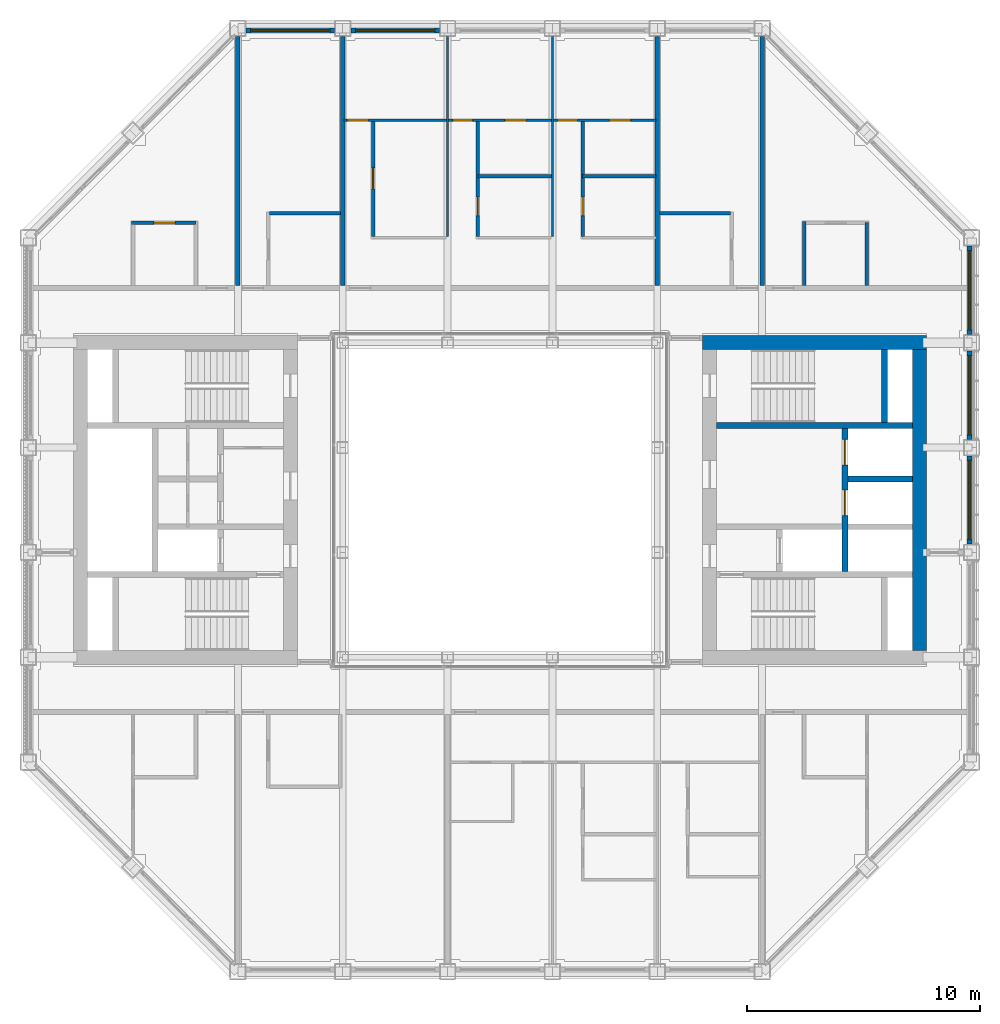
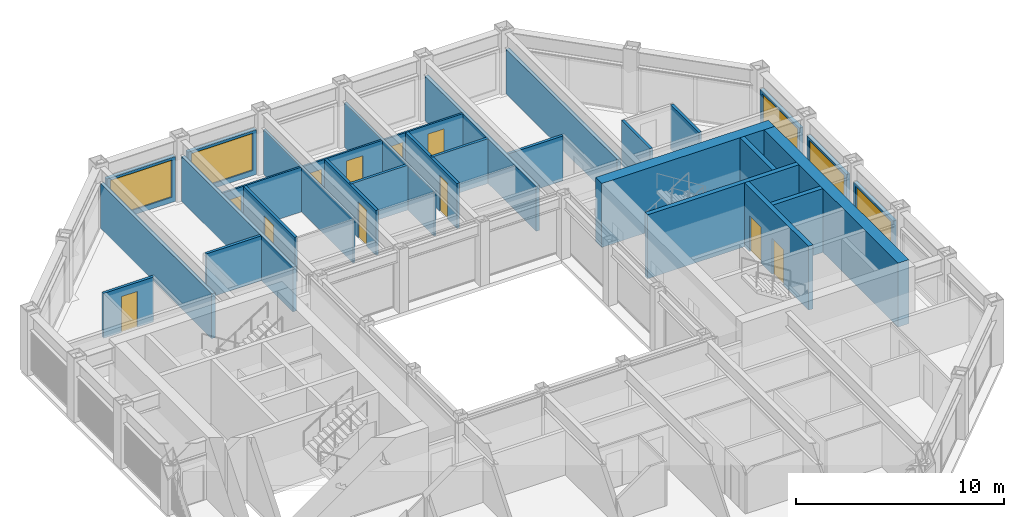
# One storey, part 12 of 17: 30 walls, 11 doors, 5 windows, 16 openings.
"""IFC4 building model written with IfcOpenShell, lengths in metres."""

import ifcopenshell
import ifcopenshell.guid

model = None  # the IFC model being written
_history = None  # IfcOwnerHistory: only IFC2X3 demands one
_inside = {}  # id of a spatial element -> (the spatial element, [elements in it])
_under = {}  # id of a project, library or spatial element -> (it, [spatial elements below it])
_declared = {}  # id of a project -> (the project, [libraries it declares])
_typed = {}  # id of a type object -> (the type object, [elements of that type])
_made_of = {}  # id of a material, layer set ... -> (it, [elements and type objects made of it])


def new_model(schema):
    """Start an empty IFC model of exactly this schema.

    Asked for "IFC4X3", IfcOpenShell would pick the latest addendum, in which some entities
    have other attributes; the version numbers below select the first issue.
    IFC2X3 requires an IfcOwnerHistory on every rooted entity: one is made here for all.
    """
    global model, _history
    if schema == "IFC4X3":
        model = ifcopenshell.file(schema_version=(4, 3, 0, 0))
    else:
        model = ifcopenshell.file(schema=schema)
    _inside.clear()
    _under.clear()
    _declared.clear()
    _typed.clear()
    _made_of.clear()
    _history = None
    if model.schema == "IFC2X3":
        org = make("IfcOrganization", Name="unknown")
        user = make(
            "IfcPersonAndOrganization",
            ThePerson=make("IfcPerson", FamilyName="unknown"),
            TheOrganization=org,
        )
        app = make(
            "IfcApplication",
            ApplicationDeveloper=org,
            Version="unknown",
            ApplicationFullName="unknown",
            ApplicationIdentifier="unknown",
        )
        _history = make(
            "IfcOwnerHistory",
            OwningUser=user,
            OwningApplication=app,
            ChangeAction="ADDED",
            CreationDate=0,
        )
    return model


def make(cls, **values):
    """One entity of the class cls with the attributes given. An attribute that is None is left unset."""
    return model.create_entity(
        cls, **{name: value for name, value in values.items() if value is not None}
    )


def rooted(cls, **values):
    """An entity with a GlobalId (a new one), such as an element, a storey or a relation."""
    return make(cls, GlobalId=ifcopenshell.guid.new(), OwnerHistory=_history, **values)


def si_unit(unit_type, name, prefix=None):
    """IfcSIUnit, for example si_unit("LENGTHUNIT", "METRE", prefix="MILLI")."""
    return make("IfcSIUnit", UnitType=unit_type, Prefix=prefix, Name=name)


def assignment(units):
    """IfcUnitAssignment: the units of a project."""
    return None if units is None else make("IfcUnitAssignment", Units=units)


def point(xyz):
    """IfcCartesianPoint."""
    return None if xyz is None else make("IfcCartesianPoint", Coordinates=xyz)


def direction(xyz):
    """IfcDirection."""
    return None if xyz is None else make("IfcDirection", DirectionRatios=xyz)


def frame(location, z_axis=None, x_axis=None):
    """IfcAxis2Placement3D, a coordinate frame: its origin and axes. An axis left out is left unset."""
    return make(
        "IfcAxis2Placement3D",
        Location=point(location),
        Axis=direction(z_axis),
        RefDirection=direction(x_axis),
    )


def frame_2d(location, x_axis=None):
    """IfcAxis2Placement2D, a coordinate frame in the plane: its origin and x axis."""
    return make(
        "IfcAxis2Placement2D", Location=point(location), RefDirection=direction(x_axis)
    )


def origin():
    """The frame at (0, 0, 0) with its axes left unset."""
    return frame((0.0, 0.0, 0.0))


def place(relative_to, where):
    """IfcLocalPlacement: puts the frame where relative to a parent placement (None: the world)."""
    return make(
        "IfcLocalPlacement", PlacementRelTo=relative_to, RelativePlacement=where
    )


def context(
    kind, dimensions, precision=None, world=None, true_north=None, identifier=None
):
    """IfcGeometricRepresentationContext, for example the 3D "Model" context."""
    return make(
        "IfcGeometricRepresentationContext",
        ContextIdentifier=identifier,
        ContextType=kind,
        CoordinateSpaceDimension=dimensions,
        Precision=precision,
        WorldCoordinateSystem=world,
        TrueNorth=true_north,
    )


def subcontext(parent, identifier, kind, view, scale=None):
    """IfcGeometricRepresentationSubContext, for example "Body" below "Model"."""
    return make(
        "IfcGeometricRepresentationSubContext",
        ContextIdentifier=identifier,
        ContextType=kind,
        ParentContext=parent,
        TargetScale=scale,
        TargetView=view,
    )


def project(units=None, contexts=None):
    """IfcProject with its units and contexts."""
    return rooted(
        "IfcProject",
        Name="project",
        RepresentationContexts=contexts,
        UnitsInContext=assignment(units),
    )


def spatial(cls, under=None, at=None, **own):
    """A site, building, storey or space (cls), placed at a placement, below another one or the project."""
    s = rooted(cls, ObjectPlacement=at, **own)
    if under is not None:
        _under.setdefault(under.id(), (under, []))[1].append(s)
    return s


def profile(cls, at=None, kind="AREA", **sizes):
    """A parametric profile (cls). Its sizes go by their IFC names, for example OverallWidth=200.0."""
    return make(cls, ProfileType=kind, Position=at, **sizes)


def rectangle(**sizes):
    """IfcRectangleProfileDef."""
    return profile("IfcRectangleProfileDef", **sizes)


def extrude(swept, where, along, depth):
    """IfcExtrudedAreaSolid: the profile swept, set in the frame where, extruded along a direction by depth."""
    return make(
        "IfcExtrudedAreaSolid",
        SweptArea=swept,
        Position=where,
        ExtrudedDirection=direction(along),
        Depth=depth,
    )


def shape(context_of_items, identifier, shape_type, items):
    """IfcShapeRepresentation: the items that make up one representation, for example the "Body"."""
    return make(
        "IfcShapeRepresentation",
        ContextOfItems=context_of_items,
        RepresentationIdentifier=identifier,
        RepresentationType=shape_type,
        Items=items,
    )


def material(Name=None, Category=None):
    """IfcMaterial."""
    return make("IfcMaterial", Name=Name, Category=Category)


def layer(
    of_material, thickness, ventilated=None, Name=None, Category=None, Priority=None
):
    """IfcMaterialLayer: one layer of a wall or slab, of a material (None: an air gap)."""
    return make(
        "IfcMaterialLayer",
        Material=of_material,
        LayerThickness=thickness,
        IsVentilated=ventilated,
        Name=Name,
        Category=Category,
        Priority=Priority,
    )


def layer_set(layers, Name=None):
    """IfcMaterialLayerSet."""
    return make("IfcMaterialLayerSet", MaterialLayers=layers, LayerSetName=Name)


def made_of(thing, what):
    """Note that an element or type object is made of a material, layer set ...; save() writes the relation."""
    if what is not None:
        _made_of.setdefault(what.id(), (what, []))[1].append(thing)
    return thing


def type_object(cls, material=None, **own):
    """A type object (cls), such as IfcWallType, which elements share."""
    return made_of(rooted(cls, **own), material)


def element(
    cls,
    number,
    at=None,
    inside=None,
    cuts=None,
    type_object=None,
    material=None,
    context=None,
    identifier="Body",
    shape_type=None,
    held_by="IfcProductDefinitionShape",
    body=None,
    shapes=None,
    **own,
):
    """One element of the class cls, such as IfcWall. Its Tag is "e" and its number.

    at: its placement. inside: the storey or other place that contains it. cuts: it is an
    opening in that element (IfcRelVoidsElement). A single representation is given by context,
    identifier, shape_type and body (its items); several are given by shapes. held_by: the class
    of the entity that holds the representations. save() writes the other relations.
    """
    e = rooted(cls, Tag="e%d" % number, ObjectPlacement=at, **own)
    if body is not None:
        shapes = [shape(context, identifier, shape_type, body)]
    if shapes is not None:
        e.Representation = make(held_by, Representations=shapes)
    if inside is not None:
        _inside.setdefault(inside.id(), (inside, []))[1].append(e)
    if cuts is not None:
        rooted(
            "IfcRelVoidsElement", RelatingBuildingElement=cuts, RelatedOpeningElement=e
        )
    if type_object is not None:
        _typed.setdefault(type_object.id(), (type_object, []))[1].append(e)
    return made_of(e, material)


def fill(opening, filler):
    """IfcRelFillsElement: the door or window that sits in an opening."""
    return rooted(
        "IfcRelFillsElement",
        RelatingOpeningElement=opening,
        RelatedBuildingElement=filler,
    )


def aggregate(whole, parts):
    """IfcRelAggregates: a whole, such as a stair, and the parts it consists of."""
    return rooted("IfcRelAggregates", RelatingObject=whole, RelatedObjects=parts)


def save(model, path):
    """Write the relations noted so far, then the file.

    IfcRelAggregates (storeys below a building ...), IfcRelContainedInSpatialStructure (elements
    in a storey), IfcRelDefinesByType, IfcRelAssociatesMaterial and IfcRelDeclares: one each for
    every whole, place, type object, material and project.
    """
    for whole, parts in _under.values():
        aggregate(whole, parts)
    for where, things in _inside.values():
        rooted(
            "IfcRelContainedInSpatialStructure",
            RelatedElements=things,
            RelatingStructure=where,
        )
    for kind, things in _typed.values():
        rooted("IfcRelDefinesByType", RelatedObjects=things, RelatingType=kind)
    for what, things in _made_of.values():
        rooted("IfcRelAssociatesMaterial", RelatedObjects=things, RelatingMaterial=what)
    for by, libraries in _declared.values():
        rooted("IfcRelDeclares", RelatingContext=by, RelatedDefinitions=libraries)
    model.write(path)


model = new_model("IFC4")

# Units and contexts
model_context = context("Model", 3, precision=1e-05, world=origin(), true_north=direction((0.0, 1.0)))
body_context = subcontext(model_context, "Body", "Model", "MODEL_VIEW")
ifc_project = project(units=[si_unit("LENGTHUNIT", "METRE"), si_unit("AREAUNIT", "SQUARE_METRE"), si_unit("VOLUMEUNIT", "CUBIC_METRE"), si_unit("PLANEANGLEUNIT", "RADIAN"), si_unit("MASSUNIT", "GRAM", prefix="KILO")], contexts=[model_context])

# Site, building, storey
site_placement = place(None, origin())
site = spatial("IfcSite", under=ifc_project, at=site_placement, CompositionType="ELEMENT")
building_placement = place(site_placement, origin())
building = spatial("IfcBuilding", under=site, at=building_placement, Name="Msasa Ring Tower", CompositionType="ELEMENT")
storey_placement = place(building_placement, frame((0.0, 0.0, 238.300048828125)))
storey = spatial("IfcBuildingStorey", under=building, at=storey_placement, Name="L62", CompositionType="ELEMENT", Elevation=238.300048828125)

# Walls
ifc_material_1 = material(Name="Concrete C60/75", Category="concrete")
ifc_layer_1 = layer(ifc_material_1, 0.60009765625)
ifc_layer_set_1 = layer_set([ifc_layer_1], Name="CW3 CORE WALL 600")
wall_type_1 = type_object("IfcWallType", Name="CW3 CORE WALL 600", PredefinedType="SHEAR", material=ifc_layer_set_1)
wall_1_placement = place(storey_placement, frame((8.699951171875, 6.75, 0.0), z_axis=(0.0, 0.0, 1.0), x_axis=(1.0, 0.0, 0.0)))
element("IfcWall", 1, at=wall_1_placement, inside=storey, type_object=wall_type_1, Name="E core wall N L62", PredefinedType="SHEAR", context=body_context, shape_type="SweptSolid", body=[
    extrude(rectangle(XDim=9.60009765625, YDim=0.60009765625, at=frame_2d((4.800048828125, 0.0))), origin(), (0.0, 0.0, 1.0), 3.75),
])
wall_2_placement = place(storey_placement, frame((18.0, -6.449951171875, 0.0), z_axis=(0.0, 0.0, 1.0), x_axis=(0.0, 1.0, 0.0)))
element("IfcWall", 2, at=wall_2_placement, inside=storey, type_object=wall_type_1, Name="E core wall E L62", PredefinedType="SHEAR", context=body_context, shape_type="SweptSolid", body=[
    extrude(rectangle(XDim=12.89990234375, YDim=0.60009765625, at=frame_2d((6.449951171875, 0.0))), origin(), (0.0, 0.0, 1.0), 3.75),
])
ifc_material_2 = material(Name="Concrete C60/75", Category="concrete")
ifc_layer_2 = layer(ifc_material_2, 0.25)
ifc_layer_set_2 = layer_set([ifc_layer_2], Name="CW4 CORE INNER WALL 250")
wall_type_2 = type_object("IfcWallType", Name="CW4 CORE INNER WALL 250", PredefinedType="SHEAR", material=ifc_layer_set_2)
wall_3_placement = place(storey_placement, frame((9.300048828125, 3.199951171875, 0.0), z_axis=(0.0, 0.0, 1.0), x_axis=(1.0, 0.0, 0.0)))
element("IfcWall", 3, at=wall_3_placement, inside=storey, type_object=wall_type_2, Name="E core wall STAIRB L62", PredefinedType="SHEAR", context=body_context, shape_type="SweptSolid", body=[
    extrude(rectangle(XDim=8.39990234375, YDim=0.25, at=frame_2d((4.199951171875, 0.0))), origin(), (0.0, 0.0, 1.0), 3.75),
])
wall_4_placement = place(storey_placement, frame((16.5, 3.324951171875, 0.0), z_axis=(0.0, 0.0, 1.0), x_axis=(0.0, 1.0, 0.0)))
element("IfcWall", 4, at=wall_4_placement, inside=storey, type_object=wall_type_2, Name="E core wall RISERB L62", PredefinedType="SHEAR", context=body_context, shape_type="SweptSolid", body=[
    extrude(rectangle(XDim=3.125, YDim=0.25, at=frame_2d((1.5625, 0.0))), origin(), (0.0, 0.0, 1.0), 3.75),
])

# Wall, openings, doors
wall_5_placement = place(storey_placement, frame((14.800048828125, -3.074951171875, 0.0), z_axis=(0.0, 0.0, 1.0), x_axis=(0.0, 1.0, 0.0)))
wall_5 = element("IfcWall", 5, at=wall_5_placement, inside=storey, type_object=wall_type_2, Name="E core wall SHAFT L62", PredefinedType="SHEAR", context=body_context, shape_type="SweptSolid", body=[
    extrude(rectangle(XDim=6.14990234375, YDim=0.25, at=frame_2d((3.074951171875, 0.0))), origin(), (0.0, 0.0, 1.0), 3.75),
])
opening_1_placement = place(wall_5_placement, frame((2.39990234375, 0.0, 0.0)))
opening_1 = element("IfcOpeningElement", 6, at=opening_1_placement, cuts=wall_5, Name="Opening LD1", PredefinedType="OPENING", context=body_context, shape_type="SweptSolid", body=[
    extrude(rectangle(XDim=1.10009765625, YDim=2.10009765625, at=frame_2d((0.550048828125, 1.050048828125))), frame((0.0, 0.135009765625, 0.0), z_axis=(0.0, -1.0, 0.0), x_axis=(1.0, 0.0, 0.0)), (0.0, 0.0, 1.0), 0.27001953125),
])
opening_2_placement = place(wall_5_placement, frame((4.574951171875, 0.0, 0.0)))
opening_2 = element("IfcOpeningElement", 7, at=opening_2_placement, cuts=wall_5, Name="Opening LD1", PredefinedType="OPENING", context=body_context, shape_type="SweptSolid", body=[
    extrude(rectangle(XDim=1.10009765625, YDim=2.10009765625, at=frame_2d((0.550048828125, 1.050048828125))), frame((0.0, 0.135009765625, 0.0), z_axis=(0.0, -1.0, 0.0), x_axis=(1.0, 0.0, 0.0)), (0.0, 0.0, 1.0), 0.27001953125),
])
ifc_material_3 = material(Name="Stainless steel lift landing door", Category="steel")
door_type_1 = type_object("IfcDoorType", Name="LD1 LIFT LANDING DOOR 1100x2100", OperationType="DOUBLE_DOOR_SLIDING", PredefinedType="DOOR", material=ifc_material_3)
door_1_placement = place(opening_1_placement, origin())
door_1 = element("IfcDoor", 8, at=door_1_placement, inside=storey, type_object=door_type_1, Name="Lift landing door PL-H1 L62", OperationType="DOUBLE_DOOR_SLIDING", OverallHeight=2.10009765625, OverallWidth=1.10009765625, PredefinedType="DOOR", context=body_context, shape_type="SweptSolid", body=[
    extrude(rectangle(XDim=1.10009765625, YDim=2.10009765625, at=frame_2d((0.550048828125, 1.050048828125))), frame((0.0, 0.02490234375, 0.0), z_axis=(0.0, -1.0, 0.0), x_axis=(1.0, 0.0, 0.0)), (0.0, 0.0, 1.0), 0.050048828125),
])
fill(opening_1, door_1)
door_2_placement = place(opening_2_placement, origin())
door_2 = element("IfcDoor", 9, at=door_2_placement, inside=storey, type_object=door_type_1, Name="Lift landing door PL-H2 L62", OperationType="DOUBLE_DOOR_SLIDING", OverallHeight=2.10009765625, OverallWidth=1.10009765625, PredefinedType="DOOR", context=body_context, shape_type="SweptSolid", body=[
    extrude(rectangle(XDim=1.10009765625, YDim=2.10009765625, at=frame_2d((0.550048828125, 1.050048828125))), frame((0.0, 0.02490234375, 0.0), z_axis=(0.0, -1.0, 0.0), x_axis=(1.0, 0.0, 0.0)), (0.0, 0.0, 1.0), 0.050048828125),
])
fill(opening_2, door_2)

# Wall
wall_6_placement = place(storey_placement, frame((14.925048828125, 0.89990234375, 0.0), z_axis=(0.0, 0.0, 1.0), x_axis=(1.0, 0.0, 0.0)))
element("IfcWall", 10, at=wall_6_placement, inside=storey, type_object=wall_type_2, Name="E core wall HLIFT L62", PredefinedType="SHEAR", context=body_context, shape_type="SweptSolid", body=[
    extrude(rectangle(XDim=2.77490234375, YDim=0.25, at=frame_2d((1.387451171875, 0.0))), origin(), (0.0, 0.0, 1.0), 3.75),
])

# Wall, opening, window
ifc_material_4 = material(Name="Terracotta rainscreen on blockwork", Category="masonry")
ifc_layer_3 = layer(ifc_material_4, 0.199951171875)
ifc_layer_set_3 = layer_set([ifc_layer_3], Name="FW1 TERRACOTTA-LINED INFILL BAY WALL 200")
wall_type_3 = type_object("IfcWallType", Name="FW1 TERRACOTTA-LINED INFILL BAY WALL 200", PredefinedType="SOLIDWALL", material=ifc_layer_set_3)
wall_7_placement = place(storey_placement, frame((20.14990234375, -1.89501953125, 0.0), z_axis=(0.0, 0.0, 1.0), x_axis=(0.0, 1.0, 0.0)))
wall_7 = element("IfcWall", 11, at=wall_7_placement, inside=storey, type_object=wall_type_3, Name="Infill bay wall E L62 09", PredefinedType="SOLIDWALL", context=body_context, shape_type="SweptSolid", body=[
    extrude(rectangle(XDim=3.7900390625, YDim=0.199951171875, at=frame_2d((1.89501953125, 0.0))), origin(), (0.0, 0.0, 1.0), 2.62890625),
])
opening_3_placement = place(wall_7_placement, frame((0.195068359375, 0.0, 0.300048828125)))
opening_3 = element("IfcOpeningElement", 12, at=opening_3_placement, cuts=wall_7, Name="Opening WN3", PredefinedType="OPENING", context=body_context, shape_type="SweptSolid", body=[
    extrude(rectangle(XDim=3.39990234375, YDim=2.178955078125, at=frame_2d((1.699951171875, 1.08935546875))), frame((0.0, 0.10986328125, 0.0), z_axis=(0.0, -1.0, 0.0), x_axis=(1.0, 0.0, 0.0)), (0.0, 0.0, 1.0), 0.219970703125),
])
ifc_material_5 = material(Name="Aluminium frame with clear glass", Category="aluminium")
window_type = type_object("IfcWindowType", Name="WN3 SUITE WINDOW 3400x2179", PartitioningType="SINGLE_PANEL", PredefinedType="WINDOW", material=ifc_material_5)
window_1_placement = place(opening_3_placement, origin())
window_1 = element("IfcWindow", 13, at=window_1_placement, inside=storey, type_object=window_type, Name="Window E L62 09", OverallHeight=2.178955078125, OverallWidth=3.39990234375, PartitioningType="SINGLE_PANEL", PredefinedType="WINDOW", context=body_context, shape_type="SweptSolid", body=[
    extrude(rectangle(XDim=3.39990234375, YDim=2.178955078125, at=frame_2d((1.699951171875, 1.08935546875))), frame((0.0, 0.030029296875, 0.0), z_axis=(0.0, -1.0, 0.0), x_axis=(1.0, 0.0, 0.0)), (0.0, 0.0, 1.0), 0.06005859375),
])
fill(opening_3, window_1)

wall_8_placement = place(storey_placement, frame((20.14990234375, 2.60498046875, 0.0), z_axis=(0.0, 0.0, 1.0), x_axis=(0.0, 1.0, 0.0)))
wall_8 = element("IfcWall", 14, at=wall_8_placement, inside=storey, type_object=wall_type_3, Name="Infill bay wall E L62 10", PredefinedType="SOLIDWALL", context=body_context, shape_type="SweptSolid", body=[
    extrude(rectangle(XDim=3.7900390625, YDim=0.199951171875, at=frame_2d((1.89501953125, 0.0))), origin(), (0.0, 0.0, 1.0), 2.62890625),
])
opening_4_placement = place(wall_8_placement, frame((0.195068359375, 0.0, 0.300048828125)))
opening_4 = element("IfcOpeningElement", 15, at=opening_4_placement, cuts=wall_8, Name="Opening WN3", PredefinedType="OPENING", context=body_context, shape_type="SweptSolid", body=[
    extrude(rectangle(XDim=3.39990234375, YDim=2.178955078125, at=frame_2d((1.699951171875, 1.08935546875))), frame((0.0, 0.10986328125, 0.0), z_axis=(0.0, -1.0, 0.0), x_axis=(1.0, 0.0, 0.0)), (0.0, 0.0, 1.0), 0.219970703125),
])
window_2_placement = place(opening_4_placement, origin())
window_2 = element("IfcWindow", 16, at=window_2_placement, inside=storey, type_object=window_type, Name="Window E L62 10", OverallHeight=2.178955078125, OverallWidth=3.39990234375, PartitioningType="SINGLE_PANEL", PredefinedType="WINDOW", context=body_context, shape_type="SweptSolid", body=[
    extrude(rectangle(XDim=3.39990234375, YDim=2.178955078125, at=frame_2d((1.699951171875, 1.08935546875))), frame((0.0, 0.030029296875, 0.0), z_axis=(0.0, -1.0, 0.0), x_axis=(1.0, 0.0, 0.0)), (0.0, 0.0, 1.0), 0.06005859375),
])
fill(opening_4, window_2)

wall_9_placement = place(storey_placement, frame((20.14990234375, 7.10498046875, 0.0), z_axis=(0.0, 0.0, 1.0), x_axis=(0.0, 1.0, 0.0)))
wall_9 = element("IfcWall", 17, at=wall_9_placement, inside=storey, type_object=wall_type_3, Name="Infill bay wall E L62 11", PredefinedType="SOLIDWALL", context=body_context, shape_type="SweptSolid", body=[
    extrude(rectangle(XDim=3.7900390625, YDim=0.199951171875, at=frame_2d((1.89501953125, 0.0))), origin(), (0.0, 0.0, 1.0), 2.62890625),
])
opening_5_placement = place(wall_9_placement, frame((0.195068359375, 0.0, 0.300048828125)))
opening_5 = element("IfcOpeningElement", 18, at=opening_5_placement, cuts=wall_9, Name="Opening WN3", PredefinedType="OPENING", context=body_context, shape_type="SweptSolid", body=[
    extrude(rectangle(XDim=3.39990234375, YDim=2.178955078125, at=frame_2d((1.699951171875, 1.08935546875))), frame((0.0, 0.10986328125, 0.0), z_axis=(0.0, -1.0, 0.0), x_axis=(1.0, 0.0, 0.0)), (0.0, 0.0, 1.0), 0.219970703125),
])
window_3_placement = place(opening_5_placement, origin())
window_3 = element("IfcWindow", 19, at=window_3_placement, inside=storey, type_object=window_type, Name="Window E L62 11", OverallHeight=2.178955078125, OverallWidth=3.39990234375, PartitioningType="SINGLE_PANEL", PredefinedType="WINDOW", context=body_context, shape_type="SweptSolid", body=[
    extrude(rectangle(XDim=3.39990234375, YDim=2.178955078125, at=frame_2d((1.699951171875, 1.08935546875))), frame((0.0, 0.030029296875, 0.0), z_axis=(0.0, -1.0, 0.0), x_axis=(1.0, 0.0, 0.0)), (0.0, 0.0, 1.0), 0.06005859375),
])
fill(opening_5, window_3)

wall_10_placement = place(storey_placement, frame((-10.89501953125, 20.14990234375, 0.0), z_axis=(0.0, 0.0, 1.0), x_axis=(1.0, 0.0, 0.0)))
wall_10 = element("IfcWall", 20, at=wall_10_placement, inside=storey, type_object=wall_type_3, Name="Infill bay wall N L62 14", PredefinedType="SOLIDWALL", context=body_context, shape_type="SweptSolid", body=[
    extrude(rectangle(XDim=3.7900390625, YDim=0.199951171875, at=frame_2d((1.89501953125, 0.0))), origin(), (0.0, 0.0, 1.0), 2.62890625),
])
opening_6_placement = place(wall_10_placement, frame((0.195068359375, 0.0, 0.300048828125)))
opening_6 = element("IfcOpeningElement", 21, at=opening_6_placement, cuts=wall_10, Name="Opening WN3", PredefinedType="OPENING", context=body_context, shape_type="SweptSolid", body=[
    extrude(rectangle(XDim=3.39990234375, YDim=2.178955078125, at=frame_2d((1.699951171875, 1.08935546875))), frame((0.0, 0.10986328125, 0.0), z_axis=(0.0, -1.0, 0.0), x_axis=(1.0, 0.0, 0.0)), (0.0, 0.0, 1.0), 0.219970703125),
])
window_4_placement = place(opening_6_placement, origin())
window_4 = element("IfcWindow", 22, at=window_4_placement, inside=storey, type_object=window_type, Name="Window N L62 14", OverallHeight=2.178955078125, OverallWidth=3.39990234375, PartitioningType="SINGLE_PANEL", PredefinedType="WINDOW", context=body_context, shape_type="SweptSolid", body=[
    extrude(rectangle(XDim=3.39990234375, YDim=2.178955078125, at=frame_2d((1.699951171875, 1.08935546875))), frame((0.0, 0.030029296875, 0.0), z_axis=(0.0, -1.0, 0.0), x_axis=(1.0, 0.0, 0.0)), (0.0, 0.0, 1.0), 0.06005859375),
])
fill(opening_6, window_4)

wall_11_placement = place(storey_placement, frame((-6.39501953125, 20.14990234375, 0.0), z_axis=(0.0, 0.0, 1.0), x_axis=(1.0, 0.0, 0.0)))
wall_11 = element("IfcWall", 23, at=wall_11_placement, inside=storey, type_object=wall_type_3, Name="Infill bay wall N L62 15", PredefinedType="SOLIDWALL", context=body_context, shape_type="SweptSolid", body=[
    extrude(rectangle(XDim=3.7900390625, YDim=0.199951171875, at=frame_2d((1.89501953125, 0.0))), origin(), (0.0, 0.0, 1.0), 2.62890625),
])
opening_7_placement = place(wall_11_placement, frame((0.195068359375, 0.0, 0.300048828125)))
opening_7 = element("IfcOpeningElement", 24, at=opening_7_placement, cuts=wall_11, Name="Opening WN3", PredefinedType="OPENING", context=body_context, shape_type="SweptSolid", body=[
    extrude(rectangle(XDim=3.39990234375, YDim=2.178955078125, at=frame_2d((1.699951171875, 1.08935546875))), frame((0.0, 0.10986328125, 0.0), z_axis=(0.0, -1.0, 0.0), x_axis=(1.0, 0.0, 0.0)), (0.0, 0.0, 1.0), 0.219970703125),
])
window_5_placement = place(opening_7_placement, origin())
window_5 = element("IfcWindow", 25, at=window_5_placement, inside=storey, type_object=window_type, Name="Window N L62 15", OverallHeight=2.178955078125, OverallWidth=3.39990234375, PartitioningType="SINGLE_PANEL", PredefinedType="WINDOW", context=body_context, shape_type="SweptSolid", body=[
    extrude(rectangle(XDim=3.39990234375, YDim=2.178955078125, at=frame_2d((1.699951171875, 1.08935546875))), frame((0.0, 0.030029296875, 0.0), z_axis=(0.0, -1.0, 0.0), x_axis=(1.0, 0.0, 0.0)), (0.0, 0.0, 1.0), 0.06005859375),
])
fill(opening_7, window_5)

# Wall, opening, door
ifc_material_6 = material(Name="Gypsum board on steel studs", Category="steel")
ifc_layer_4 = layer(ifc_material_6, 0.10009765625)
ifc_layer_set_4 = layer_set([ifc_layer_4], Name="PT2 STUD PARTITION 100")
wall_type_4 = type_object("IfcWallType", Name="PT2 STUD PARTITION 100", PredefinedType="PARTITIONING", material=ifc_layer_set_4)
wall_12_placement = place(storey_placement, frame((-6.68994140625, 16.300048828125, 0.0), z_axis=(0.0, 0.0, 1.0), x_axis=(1.0, 0.0, 0.0)))
wall_12 = element("IfcWall", 26, at=wall_12_placement, inside=storey, type_object=wall_type_4, Name="Partition L62-JN01SY0", PredefinedType="PARTITIONING", context=body_context, shape_type="SweptSolid", body=[
    extrude(rectangle(XDim=4.389892578125, YDim=0.10009765625, at=frame_2d((2.19482421875, 0.0))), origin(), (0.0, 0.0, 1.0), 2.62890625),
])
opening_8_placement = place(wall_12_placement, frame((0.139892578125, 0.0, 0.0)))
opening_8 = element("IfcOpeningElement", 27, at=opening_8_placement, cuts=wall_12, Name="Opening SD-001", PredefinedType="OPENING", context=body_context, shape_type="SweptSolid", body=[
    extrude(rectangle(XDim=0.89990234375, YDim=2.10009765625, at=frame_2d((0.449951171875, 1.050048828125))), frame((0.0, 0.06005859375, 0.0), z_axis=(0.0, -1.0, 0.0), x_axis=(1.0, 0.0, 0.0)), (0.0, 0.0, 1.0), 0.1201171875),
])
ifc_material_7 = material(Name="Timber door leaf in a steel frame", Category="steel")
door_type_2 = type_object("IfcDoorType", Name="D22 INTERNAL HALL DOOR 900x2100", OperationType="SINGLE_SWING_LEFT", PredefinedType="DOOR", material=ifc_material_7)
door_3_placement = place(opening_8_placement, origin())
door_3 = element("IfcDoor", 28, at=door_3_placement, inside=storey, type_object=door_type_2, Name="Door L62-JN01L", OperationType="SINGLE_SWING_LEFT", OverallHeight=2.10009765625, OverallWidth=0.89990234375, PredefinedType="DOOR", context=body_context, shape_type="SweptSolid", body=[
    extrude(rectangle(XDim=0.89990234375, YDim=2.10009765625, at=frame_2d((0.449951171875, 1.050048828125))), frame((0.0, 0.02490234375, 0.0), z_axis=(0.0, -1.0, 0.0), x_axis=(1.0, 0.0, 0.0)), (0.0, 0.0, 1.0), 0.050048828125),
])
fill(opening_8, door_3)

# Wall
wall_13_placement = place(storey_placement, frame((-2.25, 11.300048828125, 0.0), z_axis=(0.0, 0.0, 1.0), x_axis=(0.0, 1.0, 0.0)))
element("IfcWall", 29, at=wall_13_placement, inside=storey, type_object=wall_type_4, Name="Partition L62-JN01P1", PredefinedType="PARTITIONING", context=body_context, shape_type="SweptSolid", body=[
    extrude(rectangle(XDim=8.599853515625, YDim=0.10009765625, at=frame_2d((4.2998046875, 0.0))), origin(), (0.0, 0.0, 1.0), 2.62890625),
])

# Wall, openings, doors
wall_14_placement = place(storey_placement, frame((-2.199951171875, 16.300048828125, 0.0), z_axis=(0.0, 0.0, 1.0), x_axis=(1.0, 0.0, 0.0)))
wall_14 = element("IfcWall", 30, at=wall_14_placement, inside=storey, type_object=wall_type_4, Name="Partition L62-JN01SY1", PredefinedType="PARTITIONING", context=body_context, shape_type="SweptSolid", body=[
    extrude(rectangle(XDim=4.39990234375, YDim=0.10009765625, at=frame_2d((2.199951171875, 0.0))), origin(), (0.0, 0.0, 1.0), 2.62890625),
])
opening_9_placement = place(wall_14_placement, frame((0.175048828125, 0.0, 0.0)))
opening_9 = element("IfcOpeningElement", 31, at=opening_9_placement, cuts=wall_14, Name="Opening SD-002", PredefinedType="OPENING", context=body_context, shape_type="SweptSolid", body=[
    extrude(rectangle(XDim=0.85009765625, YDim=2.10009765625, at=frame_2d((0.425048828125, 1.050048828125))), frame((0.0, 0.06005859375, 0.0), z_axis=(0.0, -1.0, 0.0), x_axis=(1.0, 0.0, 0.0)), (0.0, 0.0, 1.0), 0.1201171875),
])
opening_10_placement = place(wall_14_placement, frame((2.409912109375, 0.0, 0.0)))
opening_10 = element("IfcOpeningElement", 32, at=opening_10_placement, cuts=wall_14, Name="Opening SD-003", PredefinedType="OPENING", context=body_context, shape_type="SweptSolid", body=[
    extrude(rectangle(XDim=0.89990234375, YDim=2.10009765625, at=frame_2d((0.449951171875, 1.050048828125))), frame((0.0, 0.06005859375, 0.0), z_axis=(0.0, -1.0, 0.0), x_axis=(1.0, 0.0, 0.0)), (0.0, 0.0, 1.0), 0.1201171875),
])
ifc_material_8 = material(Name="Timber door leaf in a steel frame", Category="steel")
door_type_3 = type_object("IfcDoorType", Name="D14 BEDROOM DOOR 850x2100", OperationType="SINGLE_SWING_LEFT", PredefinedType="DOOR", material=ifc_material_8)
door_4_placement = place(opening_9_placement, origin())
door_4 = element("IfcDoor", 33, at=door_4_placement, inside=storey, type_object=door_type_3, Name="Door L62-JN01R1", OperationType="SINGLE_SWING_LEFT", OverallHeight=2.10009765625, OverallWidth=0.85009765625, PredefinedType="DOOR", context=body_context, shape_type="SweptSolid", body=[
    extrude(rectangle(XDim=0.85009765625, YDim=2.10009765625, at=frame_2d((0.425048828125, 1.050048828125))), frame((0.0, 0.02490234375, 0.0), z_axis=(0.0, -1.0, 0.0), x_axis=(1.0, 0.0, 0.0)), (0.0, 0.0, 1.0), 0.050048828125),
])
fill(opening_9, door_4)
ifc_material_9 = material(Name="Timber door leaf in a steel frame", Category="steel")
door_type_4 = type_object("IfcDoorType", Name="D3 BATHROOM DOOR 900x2100", OperationType="SINGLE_SWING_LEFT", PredefinedType="DOOR", material=ifc_material_9)
door_5_placement = place(opening_10_placement, origin())
door_5 = element("IfcDoor", 34, at=door_5_placement, inside=storey, type_object=door_type_4, Name="Door L62-JN01B1", OperationType="SINGLE_SWING_RIGHT", OverallHeight=2.10009765625, OverallWidth=0.89990234375, PredefinedType="DOOR", context=body_context, shape_type="SweptSolid", body=[
    extrude(rectangle(XDim=0.89990234375, YDim=2.10009765625, at=frame_2d((0.449951171875, 1.050048828125))), frame((0.0, 0.02490234375, 0.0), z_axis=(0.0, -1.0, 0.0), x_axis=(1.0, 0.0, 0.0)), (0.0, 0.0, 1.0), 0.050048828125),
])
fill(opening_10, door_5)

# Wall
wall_15_placement = place(storey_placement, frame((2.25, 11.300048828125, 0.0), z_axis=(0.0, 0.0, 1.0), x_axis=(0.0, 1.0, 0.0)))
element("IfcWall", 35, at=wall_15_placement, inside=storey, type_object=wall_type_4, Name="Partition L62-JN01P2", PredefinedType="PARTITIONING", context=body_context, shape_type="SweptSolid", body=[
    extrude(rectangle(XDim=8.599853515625, YDim=0.10009765625, at=frame_2d((4.2998046875, 0.0))), origin(), (0.0, 0.0, 1.0), 2.62890625),
])

# Wall, openings, doors
wall_16_placement = place(storey_placement, frame((2.300048828125, 16.300048828125, 0.0), z_axis=(0.0, 0.0, 1.0), x_axis=(1.0, 0.0, 0.0)))
wall_16 = element("IfcWall", 36, at=wall_16_placement, inside=storey, type_object=wall_type_4, Name="Partition L62-JN01SY2", PredefinedType="PARTITIONING", context=body_context, shape_type="SweptSolid", body=[
    extrude(rectangle(XDim=4.389892578125, YDim=0.10009765625, at=frame_2d((2.19482421875, 0.0))), origin(), (0.0, 0.0, 1.0), 2.62890625),
])
opening_11_placement = place(wall_16_placement, frame((0.175048828125, 0.0, 0.0)))
opening_11 = element("IfcOpeningElement", 37, at=opening_11_placement, cuts=wall_16, Name="Opening SD-004", PredefinedType="OPENING", context=body_context, shape_type="SweptSolid", body=[
    extrude(rectangle(XDim=0.85009765625, YDim=2.10009765625, at=frame_2d((0.425048828125, 1.050048828125))), frame((0.0, 0.06005859375, 0.0), z_axis=(0.0, -1.0, 0.0), x_axis=(1.0, 0.0, 0.0)), (0.0, 0.0, 1.0), 0.1201171875),
])
opening_12_placement = place(wall_16_placement, frame((2.409912109375, 0.0, 0.0)))
opening_12 = element("IfcOpeningElement", 38, at=opening_12_placement, cuts=wall_16, Name="Opening SD-005", PredefinedType="OPENING", context=body_context, shape_type="SweptSolid", body=[
    extrude(rectangle(XDim=0.89990234375, YDim=2.10009765625, at=frame_2d((0.449951171875, 1.050048828125))), frame((0.0, 0.06005859375, 0.0), z_axis=(0.0, -1.0, 0.0), x_axis=(1.0, 0.0, 0.0)), (0.0, 0.0, 1.0), 0.1201171875),
])
door_6_placement = place(opening_11_placement, origin())
door_6 = element("IfcDoor", 39, at=door_6_placement, inside=storey, type_object=door_type_3, Name="Door L62-JN01R2", OperationType="SINGLE_SWING_LEFT", OverallHeight=2.10009765625, OverallWidth=0.85009765625, PredefinedType="DOOR", context=body_context, shape_type="SweptSolid", body=[
    extrude(rectangle(XDim=0.85009765625, YDim=2.10009765625, at=frame_2d((0.425048828125, 1.050048828125))), frame((0.0, 0.02490234375, 0.0), z_axis=(0.0, -1.0, 0.0), x_axis=(1.0, 0.0, 0.0)), (0.0, 0.0, 1.0), 0.050048828125),
])
fill(opening_11, door_6)
door_7_placement = place(opening_12_placement, origin())
door_7 = element("IfcDoor", 40, at=door_7_placement, inside=storey, type_object=door_type_4, Name="Door L62-JN01B2", OperationType="SINGLE_SWING_RIGHT", OverallHeight=2.10009765625, OverallWidth=0.89990234375, PredefinedType="DOOR", context=body_context, shape_type="SweptSolid", body=[
    extrude(rectangle(XDim=0.89990234375, YDim=2.10009765625, at=frame_2d((0.449951171875, 1.050048828125))), frame((0.0, 0.02490234375, 0.0), z_axis=(0.0, -1.0, 0.0), x_axis=(1.0, 0.0, 0.0)), (0.0, 0.0, 1.0), 0.050048828125),
])
fill(opening_12, door_7)

# Walls
ifc_material_10 = material(Name="Dense concrete blockwork, plastered both faces", Category="masonry")
ifc_layer_5 = layer(ifc_material_10, 0.25)
ifc_layer_set_5 = layer_set([ifc_layer_5], Name="PT3 APARTMENT SEPARATING WALL 250")
wall_type_5 = type_object("IfcWallType", Name="PT3 APARTMENT SEPARATING WALL 250", PredefinedType="PARTITIONING", material=ifc_layer_set_5)
for number, where, z_axis, x_axis, name in (
    (41, (-11.25, 9.199951171875, 0.0), (0.0, 0.0, 1.0), (0.0, 1.0, 0.0), "Party wall L62-PWN-11.25"),
    (42, (-6.75, 9.199951171875, 0.0), (0.0, 0.0, 1.0), (0.0, 1.0, 0.0), "Party wall L62-PWN-6.75"),
    (43, (6.75, 9.199951171875, 0.0), (0.0, 0.0, 1.0), (0.0, 1.0, 0.0), "Party wall L62-PWN+6.75"),
    (44, (11.25, 9.199951171875, 0.0), (0.0, 0.0, 1.0), (0.0, 1.0, 0.0), "Party wall L62-PWN+11.25"),
):
    element("IfcWall", number, at=place(storey_placement, frame(where, z_axis=z_axis, x_axis=x_axis)), inside=storey, type_object=wall_type_5, Name=name, PredefinedType="PARTITIONING", context=body_context, shape_type="SweptSolid", body=[
        extrude(rectangle(XDim=10.699951171875, YDim=0.199951171875, at=frame_2d((5.35009765625, 0.0))), origin(), (0.0, 0.0, 1.0), 2.62890625),
    ])
ifc_material_11 = material(Name="Moisture-resistant board on steel studs with a concealed cistern and pipe void, tiled", Category="steel")
ifc_layer_6 = layer(ifc_material_11, 0.14990234375)
ifc_layer_set_6 = layer_set([ifc_layer_6], Name="PT4 BATHROOM WET WALL 150")
wall_type_6 = type_object("IfcWallType", Name="PT4 BATHROOM WET WALL 150", PredefinedType="PARTITIONING", material=ifc_layer_set_6)
wall_17_placement = place(storey_placement, frame((-9.89990234375, 12.300048828125, 0.0), z_axis=(0.0, 0.0, 1.0), x_axis=(1.0, 0.0, 0.0)))
element("IfcWall", 45, at=wall_17_placement, inside=storey, type_object=wall_type_6, Name="Partition L62-JN00BY", PredefinedType="PARTITIONING", context=body_context, shape_type="SweptSolid", body=[
    extrude(rectangle(XDim=3.0498046875, YDim=0.14990234375, at=frame_2d((1.52490234375, 0.0))), origin(), (0.0, 0.0, 1.0), 2.62890625),
])

# Wall, opening, door
wall_18_placement = place(storey_placement, frame((-5.449951171875, 11.300048828125, 0.0), z_axis=(0.0, 0.0, 1.0), x_axis=(0.0, 1.0, 0.0)))
wall_18 = element("IfcWall", 46, at=wall_18_placement, inside=storey, type_object=wall_type_6, Name="Partition L62-JN01SX0", PredefinedType="PARTITIONING", context=body_context, shape_type="SweptSolid", body=[
    extrude(rectangle(XDim=5.0, YDim=0.14990234375, at=frame_2d((2.5, 0.0))), origin(), (0.0, 0.0, 1.0), 2.62890625),
])
opening_13_placement = place(wall_18_placement, frame((2.050048828125, 0.0, 0.0)))
opening_13 = element("IfcOpeningElement", 47, at=opening_13_placement, cuts=wall_18, Name="Opening SD-006", PredefinedType="OPENING", context=body_context, shape_type="SweptSolid", body=[
    extrude(rectangle(XDim=0.89990234375, YDim=2.10009765625, at=frame_2d((0.449951171875, 1.050048828125))), frame((0.0, 0.0849609375, 0.0), z_axis=(0.0, -1.0, 0.0), x_axis=(1.0, 0.0, 0.0)), (0.0, 0.0, 1.0), 0.169921875),
])
door_8_placement = place(opening_13_placement, origin())
door_8 = element("IfcDoor", 48, at=door_8_placement, inside=storey, type_object=door_type_2, Name="Door L62-JN01K", OperationType="SINGLE_SWING_LEFT", OverallHeight=2.10009765625, OverallWidth=0.89990234375, PredefinedType="DOOR", context=body_context, shape_type="SweptSolid", body=[
    extrude(rectangle(XDim=0.89990234375, YDim=2.10009765625, at=frame_2d((0.449951171875, 1.050048828125))), frame((0.0, 0.02490234375, 0.0), z_axis=(0.0, -1.0, 0.0), x_axis=(1.0, 0.0, 0.0)), (0.0, 0.0, 1.0), 0.050048828125),
])
fill(opening_13, door_8)

wall_19_placement = place(storey_placement, frame((-0.949951171875, 11.300048828125, 0.0), z_axis=(0.0, 0.0, 1.0), x_axis=(0.0, 1.0, 0.0)))
wall_19 = element("IfcWall", 49, at=wall_19_placement, inside=storey, type_object=wall_type_6, Name="Partition L62-JN01SX1", PredefinedType="PARTITIONING", context=body_context, shape_type="SweptSolid", body=[
    extrude(rectangle(XDim=5.0, YDim=0.14990234375, at=frame_2d((2.5, 0.0))), origin(), (0.0, 0.0, 1.0), 2.62890625),
])
opening_14_placement = place(wall_19_placement, frame((0.89990234375, 0.0, 0.0)))
opening_14 = element("IfcOpeningElement", 50, at=opening_14_placement, cuts=wall_19, Name="Opening SD-007", PredefinedType="OPENING", context=body_context, shape_type="SweptSolid", body=[
    extrude(rectangle(XDim=0.800048828125, YDim=2.10009765625, at=frame_2d((0.39990234375, 1.050048828125))), frame((0.0, 0.0849609375, 0.0), z_axis=(0.0, -1.0, 0.0), x_axis=(1.0, 0.0, 0.0)), (0.0, 0.0, 1.0), 0.169921875),
])
ifc_material_12 = material(Name="Timber door leaf in a steel frame", Category="steel")
door_type_5 = type_object("IfcDoorType", Name="D60 DRESSING ROOM DOOR 800x2100", OperationType="SINGLE_SWING_LEFT", PredefinedType="DOOR", material=ifc_material_12)
door_9_placement = place(opening_14_placement, origin())
door_9 = element("IfcDoor", 51, at=door_9_placement, inside=storey, type_object=door_type_5, Name="Door L62-JN01W1", OperationType="SINGLE_SWING_LEFT", OverallHeight=2.10009765625, OverallWidth=0.800048828125, PredefinedType="DOOR", context=body_context, shape_type="SweptSolid", body=[
    extrude(rectangle(XDim=0.800048828125, YDim=2.10009765625, at=frame_2d((0.39990234375, 1.050048828125))), frame((0.0, 0.02490234375, 0.0), z_axis=(0.0, -1.0, 0.0), x_axis=(1.0, 0.0, 0.0)), (0.0, 0.0, 1.0), 0.050048828125),
])
fill(opening_14, door_9)

# Wall
wall_20_placement = place(storey_placement, frame((-0.949951171875, 13.89990234375, 0.0), z_axis=(0.0, 0.0, 1.0), x_axis=(1.0, 0.0, 0.0)))
element("IfcWall", 52, at=wall_20_placement, inside=storey, type_object=wall_type_6, Name="Partition L62-JN01SB1", PredefinedType="PARTITIONING", context=body_context, shape_type="SweptSolid", body=[
    extrude(rectangle(XDim=3.14990234375, YDim=0.14990234375, at=frame_2d((1.574951171875, 0.0))), origin(), (0.0, 0.0, 1.0), 2.62890625),
])

# Wall, opening, door
wall_21_placement = place(storey_placement, frame((3.550048828125, 11.300048828125, 0.0), z_axis=(0.0, 0.0, 1.0), x_axis=(0.0, 1.0, 0.0)))
wall_21 = element("IfcWall", 53, at=wall_21_placement, inside=storey, type_object=wall_type_6, Name="Partition L62-JN01SX2", PredefinedType="PARTITIONING", context=body_context, shape_type="SweptSolid", body=[
    extrude(rectangle(XDim=5.0, YDim=0.14990234375, at=frame_2d((2.5, 0.0))), origin(), (0.0, 0.0, 1.0), 2.62890625),
])
opening_15_placement = place(wall_21_placement, frame((0.89990234375, 0.0, 0.0)))
opening_15 = element("IfcOpeningElement", 54, at=opening_15_placement, cuts=wall_21, Name="Opening SD-008", PredefinedType="OPENING", context=body_context, shape_type="SweptSolid", body=[
    extrude(rectangle(XDim=0.800048828125, YDim=2.10009765625, at=frame_2d((0.39990234375, 1.050048828125))), frame((0.0, 0.0849609375, 0.0), z_axis=(0.0, -1.0, 0.0), x_axis=(1.0, 0.0, 0.0)), (0.0, 0.0, 1.0), 0.169921875),
])
door_10_placement = place(opening_15_placement, origin())
door_10 = element("IfcDoor", 55, at=door_10_placement, inside=storey, type_object=door_type_5, Name="Door L62-JN01W2", OperationType="SINGLE_SWING_LEFT", OverallHeight=2.10009765625, OverallWidth=0.800048828125, PredefinedType="DOOR", context=body_context, shape_type="SweptSolid", body=[
    extrude(rectangle(XDim=0.800048828125, YDim=2.10009765625, at=frame_2d((0.39990234375, 1.050048828125))), frame((0.0, 0.02490234375, 0.0), z_axis=(0.0, -1.0, 0.0), x_axis=(1.0, 0.0, 0.0)), (0.0, 0.0, 1.0), 0.050048828125),
])
fill(opening_15, door_10)

# Walls
wall_22_placement = place(storey_placement, frame((3.550048828125, 13.89990234375, 0.0), z_axis=(0.0, 0.0, 1.0), x_axis=(1.0, 0.0, 0.0)))
element("IfcWall", 56, at=wall_22_placement, inside=storey, type_object=wall_type_6, Name="Partition L62-JN01SB2", PredefinedType="PARTITIONING", context=body_context, shape_type="SweptSolid", body=[
    extrude(rectangle(XDim=3.139892578125, YDim=0.14990234375, at=frame_2d((1.56982421875, 0.0))), origin(), (0.0, 0.0, 1.0), 2.62890625),
])
wall_23_placement = place(storey_placement, frame((6.85009765625, 12.300048828125, 0.0), z_axis=(0.0, 0.0, 1.0), x_axis=(1.0, 0.0, 0.0)))
element("IfcWall", 57, at=wall_23_placement, inside=storey, type_object=wall_type_6, Name="Partition L62-JN02BY", PredefinedType="PARTITIONING", context=body_context, shape_type="SweptSolid", body=[
    extrude(rectangle(XDim=3.0498046875, YDim=0.14990234375, at=frame_2d((1.52490234375, 0.0))), origin(), (0.0, 0.0, 1.0), 2.62890625),
])
wall_24_placement = place(storey_placement, frame((13.050048828125, 9.199951171875, 0.0), z_axis=(0.0, 0.0, 1.0), x_axis=(0.0, 1.0, 0.0)))
element("IfcWall", 58, at=wall_24_placement, inside=storey, type_object=wall_type_6, Name="Partition L62-CSNEBX", PredefinedType="PARTITIONING", context=body_context, shape_type="SweptSolid", body=[
    extrude(rectangle(XDim=2.75, YDim=0.14990234375, at=frame_2d((1.375, 0.0))), origin(), (0.0, 0.0, 1.0), 2.62890625),
])
wall_25_placement = place(storey_placement, frame((15.75, 9.199951171875, 0.0), z_axis=(0.0, 0.0, 1.0), x_axis=(0.0, 1.0, 0.0)))
element("IfcWall", 59, at=wall_25_placement, inside=storey, type_object=wall_type_6, Name="Partition L62-CSNEBE", PredefinedType="PARTITIONING", context=body_context, shape_type="SweptSolid", body=[
    extrude(rectangle(XDim=2.699951171875, YDim=0.14990234375, at=frame_2d((1.35009765625, 0.0))), origin(), (0.0, 0.0, 1.0), 2.62890625),
])

# Wall, opening, door
wall_26_placement = place(storey_placement, frame((-15.824951171875, 11.89990234375, 0.0), z_axis=(0.0, 0.0, 1.0), x_axis=(1.0, 0.0, 0.0)))
wall_26 = element("IfcWall", 60, at=wall_26_placement, inside=storey, type_object=wall_type_6, Name="Partition L62-CSNWBY", PredefinedType="PARTITIONING", context=body_context, shape_type="SweptSolid", body=[
    extrude(rectangle(XDim=2.77490234375, YDim=0.14990234375, at=frame_2d((1.387451171875, 0.0))), origin(), (0.0, 0.0, 1.0), 2.62890625),
])
opening_16_placement = place(wall_26_placement, frame((0.97509765625, 0.0, 0.0)))
opening_16 = element("IfcOpeningElement", 61, at=opening_16_placement, cuts=wall_26, Name="Opening SD-009", PredefinedType="OPENING", context=body_context, shape_type="SweptSolid", body=[
    extrude(rectangle(XDim=0.89990234375, YDim=2.10009765625, at=frame_2d((0.449951171875, 1.050048828125))), frame((0.0, 0.0849609375, 0.0), z_axis=(0.0, -1.0, 0.0), x_axis=(1.0, 0.0, 0.0)), (0.0, 0.0, 1.0), 0.169921875),
])
door_11_placement = place(opening_16_placement, origin())
door_11 = element("IfcDoor", 62, at=door_11_placement, inside=storey, type_object=door_type_4, Name="Door L62-CSNWB1", OperationType="SINGLE_SWING_RIGHT", OverallHeight=2.10009765625, OverallWidth=0.89990234375, PredefinedType="DOOR", context=body_context, shape_type="SweptSolid", body=[
    extrude(rectangle(XDim=0.89990234375, YDim=2.10009765625, at=frame_2d((0.449951171875, 1.050048828125))), frame((0.0, 0.02490234375, 0.0), z_axis=(0.0, -1.0, 0.0), x_axis=(1.0, 0.0, 0.0)), (0.0, 0.0, 1.0), 0.050048828125),
])
fill(opening_16, door_11)

save(model, "model.ifc")
